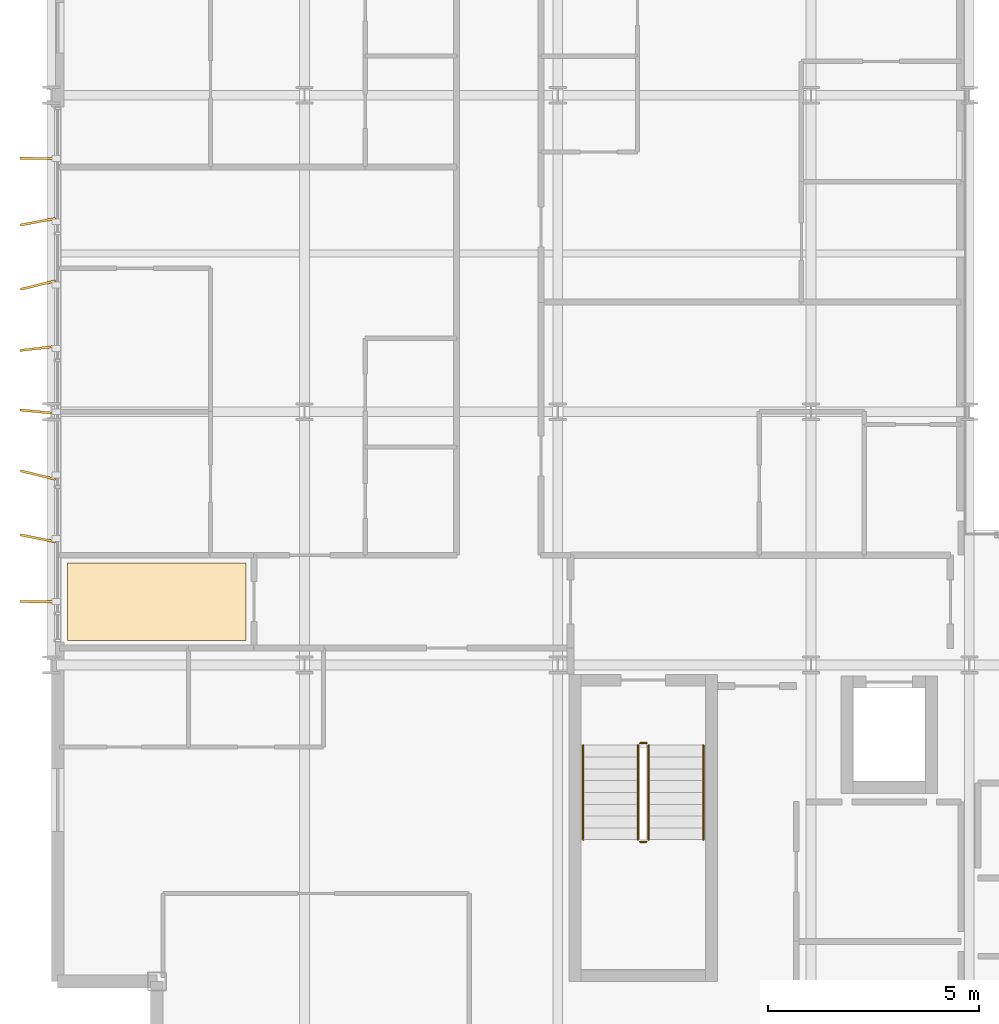
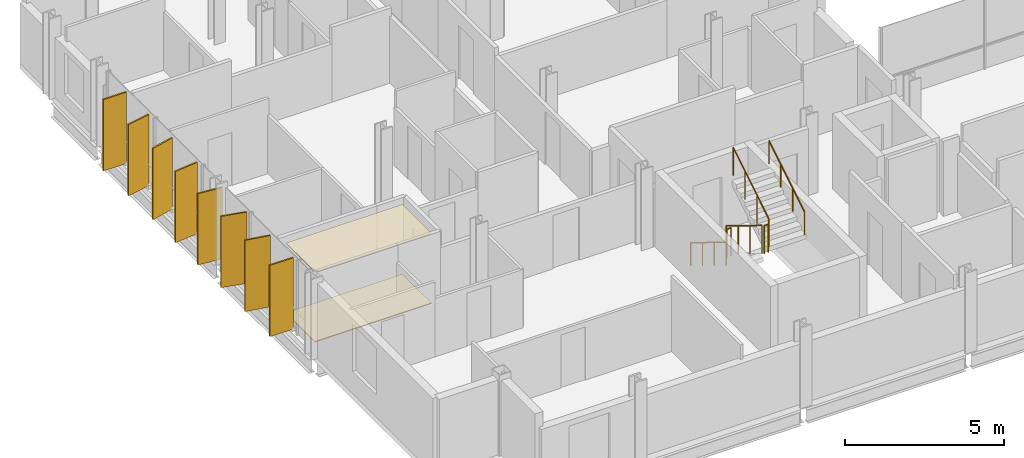
# One storey, part 36 of 38: 8 shading devices, 6 railings, 2 coverings.
"""IFC4 building model written with IfcOpenShell, lengths in metres."""

from ifc_helpers import new_model, si_unit, direction, frame, origin, origin_2d, place, context, subcontext, project, spatial, polyline, rectangle, circle, outline, extrude, material, layer, layer_set, type_object, element, save


model = new_model("IFC4")

# Units and contexts
model_context = context("Model", 3, precision=1e-05, world=origin(), true_north=direction((0.0, 1.0)))
body_context = subcontext(model_context, "Body", "Model", "MODEL_VIEW")
ifc_project = project(units=[si_unit("LENGTHUNIT", "METRE"), si_unit("AREAUNIT", "SQUARE_METRE"), si_unit("VOLUMEUNIT", "CUBIC_METRE"), si_unit("PLANEANGLEUNIT", "RADIAN"), si_unit("MASSUNIT", "GRAM", prefix="KILO")], contexts=[model_context])

# Site, building, storey
site_placement = place(None, origin())
site = spatial("IfcSite", under=ifc_project, at=site_placement, CompositionType="ELEMENT")
building_placement = place(site_placement, origin())
building = spatial("IfcBuilding", under=site, at=building_placement, Name="Brevholm Reach", CompositionType="ELEMENT")
storey_placement = place(building_placement, frame((0.0, 0.0, 122.10009765625)))
storey = spatial("IfcBuildingStorey", under=building, at=storey_placement, Name="L36", CompositionType="ELEMENT", Elevation=122.10009765625)

# Coverings
ifc_material_1 = material(Name="Moisture-Resistant Skimmed Gypsum Plasterboard Ceiling", Category="gypsum")
ifc_layer_1 = layer(ifc_material_1, 0.030029296875)
ifc_layer_set_1 = layer_set([ifc_layer_1], Name="Moisture-Resistant Skimmed Gypsum Plasterboard Ceiling")
covering_type_1 = type_object("IfcCoveringType", Name="COV-CLG-GYP", PredefinedType="CEILING", material=ifc_layer_set_1)
covering_1_placement = place(storey_placement, frame((0.0, 0.0, 2.679931640625)))
element("IfcCovering", 1, at=covering_1_placement, inside=storey, type_object=covering_type_1, Name="L36 Suspended Ceiling L36-32", PredefinedType="CEILING", context=body_context, shape_type="SweptSolid", body=[
    extrude(outline(polyline([(0.3798828125, 12.419921875), (4.615966796875, 12.419921875), (4.615966796875, 10.583984375), (0.3798828125, 10.583984375), (0.3798828125, 12.419921875)])), origin(), (0.0, 0.0, 1.0), 0.030029296875),
])
ifc_material_2 = material(Name="Honed Portland-Aggregate Resin Terrazzo Flooring", Category="concrete")
ifc_layer_2 = layer(ifc_material_2, 0.031982421875)
ifc_layer_set_2 = layer_set([ifc_layer_2], Name="Honed Portland-Aggregate Resin Terrazzo Flooring")
covering_type_2 = type_object("IfcCoveringType", Name="COV-FLR-TRZ", PredefinedType="FLOORING", material=ifc_layer_set_2)
covering_2_placement = place(storey_placement, origin())
element("IfcCovering", 2, at=covering_2_placement, inside=storey, type_object=covering_type_2, Name="L36 Floor Finish L36-32", PredefinedType="FLOORING", context=body_context, shape_type="SweptSolid", body=[
    extrude(outline(polyline([(0.3798828125, 12.419921875), (4.615966796875, 12.419921875), (4.615966796875, 10.583984375), (0.3798828125, 10.583984375), (0.3798828125, 12.419921875)])), origin(), (0.0, 0.0, 1.0), 0.031982421875),
])

# Railings
ifc_material_3 = material(Name="Brushed Stainless Steel EN 1.4401 Continuous Handrail", Category="steel")
railing_type_1 = type_object("IfcRailingType", Name="RAL-HND-950", PredefinedType="HANDRAIL", material=ifc_material_3)
railing_1_placement = place(storey_placement, frame((12.60009765625, 8.10009765625, 0.172119140625)))
element("IfcRailing", 3, at=railing_1_placement, inside=storey, type_object=railing_type_1, Name="L36 ST-1 stair handrail 1", PredefinedType="HANDRAIL", context=body_context, shape_type="SweptSolid", body=[
    extrude(circle(Radius=0.02392578125, at=origin_2d()), frame((0.0, 0.0, 0.8857421875), z_axis=(0.0, -0.85178898068, 0.523885037382), x_axis=(1.0, 0.0, 0.0)), (0.0, 0.0, 1.0), 2.629638671875),
    extrude(circle(Radius=0.02099609375, at=origin_2d()), origin(), (0.0, 0.0, 1.0), 0.86181640625),
    extrude(circle(Radius=0.02099609375, at=origin_2d()), frame((0.0, -0.74658203125, 0.459228515625)), (0.0, 0.0, 1.0), 0.86181640625),
    extrude(circle(Radius=0.02099609375, at=origin_2d()), frame((0.0, -1.493408203125, 0.91845703125)), (0.0, 0.0, 1.0), 0.86181640625),
    extrude(circle(Radius=0.02099609375, at=origin_2d()), frame((0.0, -2.239990234375, 1.377685546875)), (0.0, 0.0, 1.0), 0.86181640625),
])
railing_2_placement = place(storey_placement, frame((15.449951171875, 5.860107421875, 1.72216796875)))
element("IfcRailing", 4, at=railing_2_placement, inside=storey, type_object=railing_type_1, Name="L36 ST-1 stair handrail 2", PredefinedType="HANDRAIL", context=body_context, shape_type="SweptSolid", body=[
    extrude(circle(Radius=0.02392578125, at=origin_2d()), frame((0.0, 0.0, 0.8857421875), z_axis=(0.0, 0.85178898068, 0.523885037382), x_axis=(-1.0, 0.0, 0.0)), (0.0, 0.0, 1.0), 2.629638671875),
    extrude(circle(Radius=0.02099609375, at=origin_2d()), origin(), (0.0, 0.0, 1.0), 0.86181640625),
    extrude(circle(Radius=0.02099609375, at=origin_2d()), frame((0.0, 0.74658203125, 0.459228515625)), (0.0, 0.0, 1.0), 0.86181640625),
    extrude(circle(Radius=0.02099609375, at=origin_2d()), frame((0.0, 1.493408203125, 0.91845703125)), (0.0, 0.0, 1.0), 0.86181640625),
    extrude(circle(Radius=0.02099609375, at=origin_2d()), frame((0.0, 2.239990234375, 1.377685546875)), (0.0, 0.0, 1.0), 0.86181640625),
])
ifc_material_4 = material(Name="Painted Tubular Galvanised Steel S275JR Stair Guard", Category="steel")
railing_type_2 = type_object("IfcRailingType", Name="RAL-STG-1120", PredefinedType="BALUSTRADE", material=ifc_material_4)
railing_3_placement = place(storey_placement, frame((13.89990234375, 8.10009765625, 0.172119140625)))
element("IfcRailing", 5, at=railing_3_placement, inside=storey, type_object=railing_type_2, Name="L36 ST-1 stair guard 1", PredefinedType="BALUSTRADE", context=body_context, shape_type="SweptSolid", body=[
    extrude(circle(Radius=0.02392578125, at=origin_2d()), frame((0.0, 0.0, 1.076171875), z_axis=(0.0, -0.85178898068, 0.523885037382), x_axis=(1.0, 0.0, 0.0)), (0.0, 0.0, 1.0), 2.629638671875),
    extrude(circle(Radius=0.02099609375, at=origin_2d()), origin(), (0.0, 0.0, 1.0), 1.052001953125),
    extrude(circle(Radius=0.02099609375, at=origin_2d()), frame((0.0, -0.74658203125, 0.459228515625)), (0.0, 0.0, 1.0), 1.052001953125),
    extrude(circle(Radius=0.02099609375, at=origin_2d()), frame((0.0, -1.493408203125, 0.91845703125)), (0.0, 0.0, 1.0), 1.052001953125),
    extrude(circle(Radius=0.02099609375, at=origin_2d()), frame((0.0, -2.239990234375, 1.377685546875)), (0.0, 0.0, 1.0), 1.052001953125),
])
railing_4_placement = place(storey_placement, frame((13.949951171875, 5.81005859375, 1.5498046875)))
element("IfcRailing", 6, at=railing_4_placement, inside=storey, type_object=railing_type_2, Name="L36 ST-1 stair guard 2", PredefinedType="BALUSTRADE", context=body_context, shape_type="SweptSolid", body=[
    extrude(circle(Radius=0.02392578125, at=origin_2d()), frame((0.0, 0.0, 1.076171875), z_axis=(1.0, 0.0, 0.0), x_axis=(0.0, 1.0, 0.0)), (0.0, 0.0, 1.0), 0.150146484375),
    extrude(circle(Radius=0.02099609375, at=origin_2d()), origin(), (0.0, 0.0, 1.0), 1.052001953125),
    extrude(circle(Radius=0.02099609375, at=origin_2d()), frame((0.150146484375, 0.0, 0.0)), (0.0, 0.0, 1.0), 1.052001953125),
])
railing_5_placement = place(storey_placement, frame((14.14990234375, 5.860107421875, 1.72216796875)))
element("IfcRailing", 7, at=railing_5_placement, inside=storey, type_object=railing_type_2, Name="L36 ST-1 stair guard 3", PredefinedType="BALUSTRADE", context=body_context, shape_type="SweptSolid", body=[
    extrude(circle(Radius=0.02392578125, at=origin_2d()), frame((0.0, 0.0, 1.076171875), z_axis=(0.0, 0.85178898068, 0.523885037382), x_axis=(-1.0, 0.0, 0.0)), (0.0, 0.0, 1.0), 2.629638671875),
    extrude(circle(Radius=0.02099609375, at=origin_2d()), origin(), (0.0, 0.0, 1.0), 1.052001953125),
    extrude(circle(Radius=0.02099609375, at=origin_2d()), frame((0.0, 0.74658203125, 0.459228515625)), (0.0, 0.0, 1.0), 1.052001953125),
    extrude(circle(Radius=0.02099609375, at=origin_2d()), frame((0.0, 1.493408203125, 0.91845703125)), (0.0, 0.0, 1.0), 1.052001953125),
    extrude(circle(Radius=0.02099609375, at=origin_2d()), frame((0.0, 2.239990234375, 1.377685546875)), (0.0, 0.0, 1.0), 1.052001953125),
])
railing_6_placement = place(storey_placement, frame((13.949951171875, 8.14990234375, 0.0)))
element("IfcRailing", 8, at=railing_6_placement, inside=storey, type_object=railing_type_2, Name="L36 ST-1 stair guard 4", PredefinedType="BALUSTRADE", context=body_context, shape_type="SweptSolid", body=[
    extrude(circle(Radius=0.02392578125, at=origin_2d()), frame((0.0, 0.0, 1.076171875), z_axis=(1.0, 0.0, 0.0), x_axis=(0.0, 1.0, 0.0)), (0.0, 0.0, 1.0), 0.150146484375),
    extrude(circle(Radius=0.02099609375, at=origin_2d()), origin(), (0.0, 0.0, 1.0), 1.052001953125),
    extrude(circle(Radius=0.02099609375, at=origin_2d()), frame((0.150146484375, 0.0, 0.0)), (0.0, 0.0, 1.0), 1.052001953125),
])

# Shading devices
ifc_material_5 = material(Name="Perforated Champagne-Bronze Anodised Aluminium", Category="aluminium")
ifc_layer_3 = layer(ifc_material_5, 0.054931640625)
ifc_layer_set_3 = layer_set([ifc_layer_3], Name="Perforated Champagne-Bronze Anodised Aluminium")
shading_device_type = type_object("IfcShadingDeviceType", Name="SHD-FIN-850", PredefinedType="USERDEFINED", material=ifc_layer_set_3)
for number, where, z_axis, x_axis, name in (
    (9, (-0.31494140625, 11.5, 0.06982421875), (0.0, 0.0, 1.0), (-0.999966211874, 0.008220408192, 0.0), "L36 Perforated Solar Screen Fin 1"),
    (10, (-0.31494140625, 13.0, 0.06982421875), (0.0, 0.0, 1.0), (-0.980843121695, 0.194799308582, 0.0), "L36 Perforated Solar Screen Fin 2"),
    (11, (-0.31494140625, 14.5, 0.06982421875), (0.0, 0.0, 1.0), (-0.97221896522, 0.234073244233, 0.0), "L36 Perforated Solar Screen Fin 3"),
    (12, (-0.31494140625, 16.0, 0.06982421875), (0.0, 0.0, 1.0), (-0.995147017431, 0.098399256598, 0.0), "L36 Perforated Solar Screen Fin 4"),
    (13, (-0.31494140625, 17.5, 0.06982421875), (0.0, 0.0, 1.0), (-0.993581730737, -0.113116507836, 0.0), "L36 Perforated Solar Screen Fin 5"),
    (14, (-0.31494140625, 19.0, 0.06982421875), (0.0, 0.0, 1.0), (-0.971358661052, -0.237618079278, 0.0), "L36 Perforated Solar Screen Fin 6"),
    (15, (-0.31494140625, 20.5, 0.06982421875), (0.0, 0.0, 1.0), (-0.98278734677, -0.184740442319, 0.0), "L36 Perforated Solar Screen Fin 7"),
    (16, (-0.31494140625, 22.0, 0.06982421875), (0.0, 0.0, 1.0), (-0.999966211874, 0.008220408192, 0.0), "L36 Perforated Solar Screen Fin 8"),
):
    element("IfcShadingDevice", number, at=place(storey_placement, frame(where, z_axis=z_axis, x_axis=x_axis)), inside=storey, type_object=shading_device_type, Name=name, ObjectType="SCREEN", PredefinedType="USERDEFINED", context=body_context, shape_type="SweptSolid", body=[
        extrude(rectangle(XDim=0.85009765625, YDim=0.054931640625, at=origin_2d()), origin(), (0.0, 0.0, 1.0), 2.739990234375),
    ])

save(model, "model.ifc")
